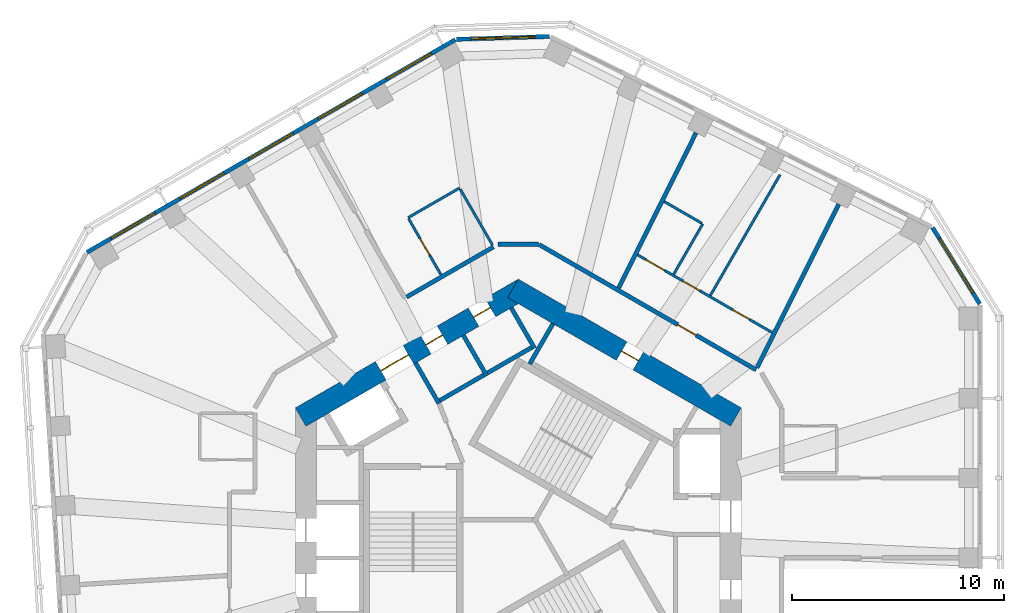
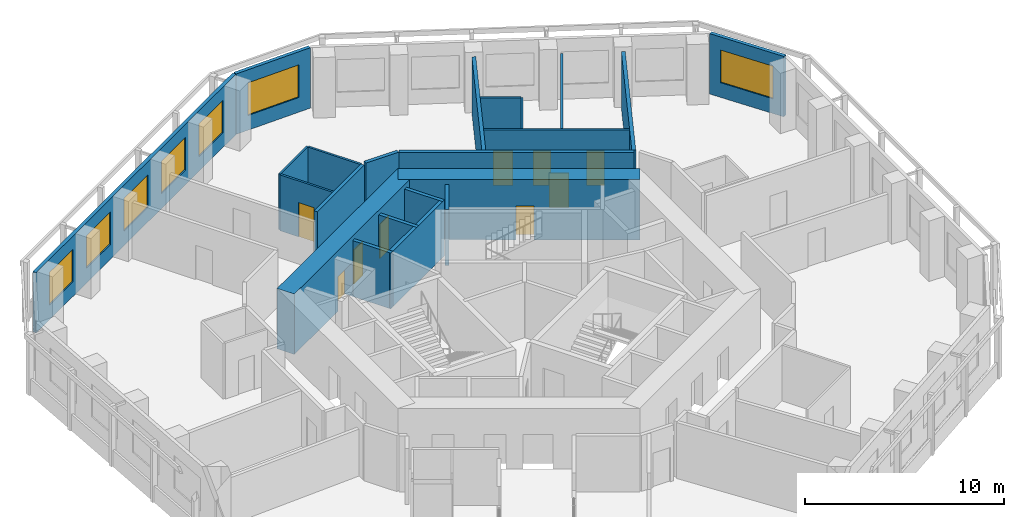
# One storey, part 7 of 11: 22 walls, 9 doors, 7 windows, 16 openings.
"""IFC4 building model written with IfcOpenShell, lengths in metres."""

from ifc_helpers import new_model, si_unit, direction, frame, frame_2d, origin, place, context, subcontext, project, spatial, rectangle, extrude, material, layer, layer_set, type_object, element, fill, save


model = new_model("IFC4")

# Units and contexts
model_context = context("Model", 3, precision=1e-05, world=origin(), true_north=direction((0.0, 1.0)))
body_context = subcontext(model_context, "Body", "Model", "MODEL_VIEW")
ifc_project = project(units=[si_unit("LENGTHUNIT", "METRE"), si_unit("AREAUNIT", "SQUARE_METRE"), si_unit("VOLUMEUNIT", "CUBIC_METRE"), si_unit("PLANEANGLEUNIT", "RADIAN"), si_unit("MASSUNIT", "GRAM", prefix="KILO")], contexts=[model_context])

# Site, building, storey
site_placement = place(None, origin())
site = spatial("IfcSite", under=ifc_project, at=site_placement, CompositionType="ELEMENT")
building_placement = place(site_placement, origin())
building = spatial("IfcBuilding", under=site, at=building_placement, Name="Vanh Sen Convention Tower", CompositionType="ELEMENT")
storey_placement = place(building_placement, frame((0.0, 0.0, 187.300048828125)))
storey = spatial("IfcBuildingStorey", under=building, at=storey_placement, Name="L46", CompositionType="ELEMENT", Elevation=187.300048828125)

# Wall
ifc_material_1 = material(Name="Moisture-resistant gypsum board on steel studs", Category="steel")
ifc_layer_1 = layer(ifc_material_1, 0.1201171875)
ifc_layer_set_1 = layer_set([ifc_layer_1], Name="Moisture-resistant gypsum board on steel studs")
wall_type_1 = type_object("IfcWallType", Name="Bathroom partition 120", PredefinedType="PARTITIONING", material=ifc_layer_set_1)
wall_1_placement = place(storey_placement, frame((-5.19140625, 15.01611328125, 0.0), z_axis=(0.0, 0.0, 1.0), x_axis=(0.866034573852, 0.49998411664, 0.0)))
element("IfcWall", 1, at=wall_1_placement, inside=storey, type_object=wall_type_1, Name="Bathroom partition 120", PredefinedType="PARTITIONING", context=body_context, shape_type="SweptSolid", body=[
    extrude(rectangle(XDim=2.7998046875, YDim=0.1201171875, at=frame_2d((1.39990234375, 0.0))), origin(), (0.0, 0.0, 1.0), 3.419921875),
])

# Wall, opening, door
wall_2_placement = place(storey_placement, frame((-3.641357421875, 12.331298828125, 0.0), z_axis=(0.0, 0.0, 1.0), x_axis=(-0.499991248344, 0.866030456496, 0.0)))
wall_2 = element("IfcWall", 2, at=wall_2_placement, inside=storey, type_object=wall_type_1, Name="Bathroom partition 120", PredefinedType="PARTITIONING", context=body_context, shape_type="SweptSolid", body=[
    extrude(rectangle(XDim=3.0400390625, YDim=0.1201171875, at=frame_2d((1.52001953125, 0.0))), origin(), (0.0, 0.0, 1.0), 3.419921875),
])
opening_1_placement = place(wall_2_placement, frame((1.070068359375, 0.0, 0.0)))
opening_1 = element("IfcOpeningElement", 3, at=opening_1_placement, cuts=wall_2, Name="Opening D44108", PredefinedType="OPENING", context=body_context, shape_type="SweptSolid", body=[
    extrude(rectangle(XDim=0.89990234375, YDim=2.10009765625, at=frame_2d((0.449951171875, 1.050048828125))), frame((0.0, 0.070068359375, 0.0), z_axis=(0.0, -1.0, 0.0), x_axis=(1.0, 0.0, 0.0)), (0.0, 0.0, 1.0), 0.14013671875),
])
ifc_material_2 = material(Name="Laminate door in steel frame", Category="steel")
door_type_1 = type_object("IfcDoorType", Name="Room internal door 900", OperationType="SINGLE_SWING_LEFT", PredefinedType="DOOR", material=ifc_material_2)
door_1_placement = place(opening_1_placement, origin())
door_1 = element("IfcDoor", 4, at=door_1_placement, inside=storey, type_object=door_type_1, Name="Internal room door D44108", OperationType="SINGLE_SWING_LEFT", OverallHeight=2.10009765625, OverallWidth=0.89990234375, PredefinedType="DOOR", context=body_context, shape_type="SweptSolid", body=[
    extrude(rectangle(XDim=0.89990234375, YDim=2.10009765625, at=frame_2d((0.449951171875, 1.050048828125))), frame((0.0, 0.02490234375, 0.0), z_axis=(0.0, -1.0, 0.0), x_axis=(1.0, 0.0, 0.0)), (0.0, 0.0, 1.0), 0.050048828125),
])
fill(opening_1, door_1)

# Walls
wall_3_placement = place(storey_placement, frame((-2.736572265625, 16.364013671875, 0.0), z_axis=(0.0, 0.0, 1.0), x_axis=(0.500026023896, -0.86601037836, 0.0)))
element("IfcWall", 5, at=wall_3_placement, inside=storey, type_object=wall_type_1, Name="Bathroom partition 120", PredefinedType="PARTITIONING", context=body_context, shape_type="SweptSolid", body=[
    extrude(rectangle(XDim=3.039794921875, YDim=0.1201171875, at=frame_2d((1.52001953125, 0.0))), origin(), (0.0, 0.0, 1.0), 3.419921875),
])
wall_4_placement = place(storey_placement, frame((7.318115234375, 12.3564453125, 0.0), z_axis=(0.0, 0.0, 1.0), x_axis=(0.499982138324, 0.866035715982, 0.0)))
element("IfcWall", 6, at=wall_4_placement, inside=storey, type_object=wall_type_1, Name="Bathroom partition 120", PredefinedType="PARTITIONING", context=body_context, shape_type="SweptSolid", body=[
    extrude(rectangle(XDim=2.73974609375, YDim=0.1201171875, at=frame_2d((1.369873046875, 0.0))), origin(), (0.0, 0.0, 1.0), 3.419921875),
])
wall_5_placement = place(storey_placement, frame((8.635986328125, 14.75927734375, 0.0), z_axis=(0.0, 0.0, 1.0), x_axis=(-0.866010195725, 0.500026340207, 0.0)))
element("IfcWall", 7, at=wall_5_placement, inside=storey, type_object=wall_type_1, Name="Bathroom partition 120", PredefinedType="PARTITIONING", context=body_context, shape_type="SweptSolid", body=[
    extrude(rectangle(XDim=2.0400390625, YDim=0.1201171875, at=frame_2d((1.02001953125, 0.0))), origin(), (0.0, 0.0, 1.0), 3.419921875),
])

# Wall, openings, doors
wall_6_placement = place(storey_placement, frame((11.958984375, 9.607666015625, 0.0), z_axis=(0.0, 0.0, 1.0), x_axis=(-0.866018452427, 0.500012039911, 0.0)))
wall_6 = element("IfcWall", 8, at=wall_6_placement, inside=storey, type_object=wall_type_1, Name="Bathroom partition 120", PredefinedType="PARTITIONING", context=body_context, shape_type="SweptSolid", body=[
    extrude(rectangle(XDim=7.322021484375, YDim=0.1201171875, at=frame_2d((3.6611328125, 0.0))), origin(), (0.0, 0.0, 1.0), 3.419921875),
])
opening_2_placement = place(wall_6_placement, frame((5.85791015625, 0.0, 0.0)))
opening_2 = element("IfcOpeningElement", 9, at=opening_2_placement, cuts=wall_6, Name="Opening D44104", PredefinedType="OPENING", context=body_context, shape_type="SweptSolid", body=[
    extrude(rectangle(XDim=1.0, YDim=2.10009765625, at=frame_2d((0.5, 1.050048828125))), frame((0.0, 0.070068359375, 0.0), z_axis=(0.0, -1.0, 0.0), x_axis=(1.0, 0.0, 0.0)), (0.0, 0.0, 1.0), 0.14013671875),
])
opening_3_placement = place(wall_6_placement, frame((1.25, 0.0, 0.0)))
opening_3 = element("IfcOpeningElement", 10, at=opening_3_placement, cuts=wall_6, Name="Opening D44105", PredefinedType="OPENING", context=body_context, shape_type="SweptSolid", body=[
    extrude(rectangle(XDim=0.89990234375, YDim=2.10009765625, at=frame_2d((0.449951171875, 1.050048828125))), frame((0.0, 0.070068359375, 0.0), z_axis=(0.0, -1.0, 0.0), x_axis=(1.0, 0.0, 0.0)), (0.0, 0.0, 1.0), 0.14013671875),
])
opening_4_placement = place(wall_6_placement, frame((3.94677734375, 0.0, 0.0)))
opening_4 = element("IfcOpeningElement", 11, at=opening_4_placement, cuts=wall_6, Name="Opening D44106", PredefinedType="OPENING", context=body_context, shape_type="SweptSolid", body=[
    extrude(rectangle(XDim=0.89990234375, YDim=2.10009765625, at=frame_2d((0.449951171875, 1.050048828125))), frame((0.0, 0.070068359375, 0.0), z_axis=(0.0, -1.0, 0.0), x_axis=(1.0, 0.0, 0.0)), (0.0, 0.0, 1.0), 0.14013671875),
])
door_type_2 = type_object("IfcDoorType", Name="Accessible WC door 1000", OperationType="SINGLE_SWING_LEFT", PredefinedType="DOOR", material=ifc_material_2)
door_2_placement = place(opening_2_placement, origin())
door_2 = element("IfcDoor", 12, at=door_2_placement, inside=storey, type_object=door_type_2, Name="Accessible WC door D44104", OperationType="SINGLE_SWING_LEFT", OverallHeight=2.10009765625, OverallWidth=1.0, PredefinedType="DOOR", context=body_context, shape_type="SweptSolid", body=[
    extrude(rectangle(XDim=1.0, YDim=2.10009765625, at=frame_2d((0.5, 1.050048828125))), frame((0.0, 0.02490234375, 0.0), z_axis=(0.0, -1.0, 0.0), x_axis=(1.0, 0.0, 0.0)), (0.0, 0.0, 1.0), 0.050048828125),
])
fill(opening_2, door_2)
door_3_placement = place(opening_3_placement, origin())
door_3 = element("IfcDoor", 13, at=door_3_placement, inside=storey, type_object=door_type_1, Name="Internal room door D44105", OperationType="SINGLE_SWING_LEFT", OverallHeight=2.10009765625, OverallWidth=0.89990234375, PredefinedType="DOOR", context=body_context, shape_type="SweptSolid", body=[
    extrude(rectangle(XDim=0.89990234375, YDim=2.10009765625, at=frame_2d((0.449951171875, 1.050048828125))), frame((0.0, 0.02490234375, 0.0), z_axis=(0.0, -1.0, 0.0), x_axis=(1.0, 0.0, 0.0)), (0.0, 0.0, 1.0), 0.050048828125),
])
fill(opening_3, door_3)
door_4_placement = place(opening_4_placement, origin())
door_4 = element("IfcDoor", 14, at=door_4_placement, inside=storey, type_object=door_type_1, Name="Internal room door D44106", OperationType="SINGLE_SWING_LEFT", OverallHeight=2.10009765625, OverallWidth=0.89990234375, PredefinedType="DOOR", context=body_context, shape_type="SweptSolid", body=[
    extrude(rectangle(XDim=0.89990234375, YDim=2.10009765625, at=frame_2d((0.449951171875, 1.050048828125))), frame((0.0, 0.02490234375, 0.0), z_axis=(0.0, -1.0, 0.0), x_axis=(1.0, 0.0, 0.0)), (0.0, 0.0, 1.0), 0.050048828125),
])
fill(opening_4, door_4)

# Wall
wall_7_placement = place(storey_placement, frame((12.32470703125, 17.041015625, 0.0), z_axis=(0.0, 0.0, 1.0), x_axis=(-0.499985538654, -0.866033752885, 0.0)))
element("IfcWall", 15, at=wall_7_placement, inside=storey, type_object=wall_type_1, Name="Bathroom partition 120", PredefinedType="PARTITIONING", context=body_context, shape_type="SweptSolid", body=[
    extrude(rectangle(XDim=6.560302734375, YDim=0.1201171875, at=frame_2d((3.2802734375, 0.0))), origin(), (0.0, 0.0, 1.0), 3.419921875),
])

# Wall, opening, door
ifc_material_3 = material(Name="Concrete C80/95", Category="concrete")
ifc_layer_2 = layer(ifc_material_3, 1.0)
ifc_layer_set_2 = layer_set([ifc_layer_2], Name="Concrete C80/95")
wall_type_2 = type_object("IfcWallType", Name="Core outer wall 1000 C80/95", PredefinedType="SHEAR", material=ifc_layer_set_2)
wall_8_placement = place(storey_placement, frame((10.25, 5.629150390625, 0.0), z_axis=(0.0, 0.0, 1.0), x_axis=(-0.866022616891, 0.50000482701, 0.0)))
wall_8 = element("IfcWall", 16, at=wall_8_placement, inside=storey, type_object=wall_type_2, Name="Core wall face NE L46", PredefinedType="SHEAR", context=body_context, shape_type="SweptSolid", body=[
    extrude(rectangle(XDim=12.12451171875, YDim=1.0, at=frame_2d((6.062255859375, 0.0))), origin(), (0.0, 0.0, 1.0), 3.699951171875),
])
opening_5_placement = place(wall_8_placement, frame((5.312255859375, 0.0, 0.0)))
opening_5 = element("IfcOpeningElement", 17, at=opening_5_placement, cuts=wall_8, Name="Opening D44011", PredefinedType="OPENING", context=body_context, shape_type="SweptSolid", body=[
    extrude(rectangle(XDim=0.89990234375, YDim=2.10009765625, at=frame_2d((0.449951171875, 1.050048828125))), frame((0.0, 0.510009765625, 0.0), z_axis=(0.0, -1.0, 0.0), x_axis=(1.0, 0.0, 0.0)), (0.0, 0.0, 1.0), 1.02001953125),
])
ifc_material_4 = material(Name="Steel S355", Category="steel")
door_type_3 = type_object("IfcDoorType", Name="Plant door 900", OperationType="SINGLE_SWING_LEFT", PredefinedType="DOOR", material=ifc_material_4)
door_5_placement = place(opening_5_placement, origin())
door_5 = element("IfcDoor", 18, at=door_5_placement, inside=storey, type_object=door_type_3, Name="Plant door D44011", OperationType="SINGLE_SWING_LEFT", OverallHeight=2.10009765625, OverallWidth=0.89990234375, PredefinedType="DOOR", context=body_context, shape_type="SweptSolid", body=[
    extrude(rectangle(XDim=0.89990234375, YDim=2.10009765625, at=frame_2d((0.449951171875, 1.050048828125))), frame((0.0, 0.02490234375, 0.0), z_axis=(0.0, -1.0, 0.0), x_axis=(1.0, 0.0, 0.0)), (0.0, 0.0, 1.0), 0.050048828125),
])
fill(opening_5, door_5)

# Wall, openings, doors
wall_9_placement = place(storey_placement, frame((0.25, 11.69140625, 0.0), z_axis=(0.0, 0.0, 1.0), x_axis=(-0.866022616891, -0.50000482701, 0.0)))
wall_9 = element("IfcWall", 19, at=wall_9_placement, inside=storey, type_object=wall_type_2, Name="Core wall face NW L46", PredefinedType="SHEAR", context=body_context, shape_type="SweptSolid", body=[
    extrude(rectangle(XDim=12.12451171875, YDim=1.0, at=frame_2d((6.062255859375, 0.0))), origin(), (0.0, 0.0, 1.0), 3.699951171875),
])
opening_6_placement = place(wall_9_placement, frame((6.26220703125, 0.0, 0.0)))
opening_6 = element("IfcOpeningElement", 20, at=opening_6_placement, cuts=wall_9, Name="Opening D44002", PredefinedType="OPENING", context=body_context, shape_type="SweptSolid", body=[
    extrude(rectangle(XDim=1.5, YDim=2.10009765625, at=frame_2d((0.75, 1.050048828125))), frame((0.0, 0.510009765625, 0.0), z_axis=(0.0, -1.0, 0.0), x_axis=(1.0, 0.0, 0.0)), (0.0, 0.0, 1.0), 1.02001953125),
])
opening_7_placement = place(wall_9_placement, frame((1.812255859375, 0.0, 0.0)))
opening_7 = element("IfcOpeningElement", 21, at=opening_7_placement, cuts=wall_9, Name="Opening D44012", PredefinedType="OPENING", context=body_context, shape_type="SweptSolid", body=[
    extrude(rectangle(XDim=0.89990234375, YDim=2.10009765625, at=frame_2d((0.449951171875, 1.050048828125))), frame((0.0, 0.510009765625, 0.0), z_axis=(0.0, -1.0, 0.0), x_axis=(1.0, 0.0, 0.0)), (0.0, 0.0, 1.0), 1.02001953125),
])
opening_8_placement = place(wall_9_placement, frame((4.412109375, 0.0, 0.0)))
opening_8 = element("IfcOpeningElement", 22, at=opening_8_placement, cuts=wall_9, Name="Opening D44013", PredefinedType="OPENING", context=body_context, shape_type="SweptSolid", body=[
    extrude(rectangle(XDim=0.89990234375, YDim=2.10009765625, at=frame_2d((0.449951171875, 1.050048828125))), frame((0.0, 0.510009765625, 0.0), z_axis=(0.0, -1.0, 0.0), x_axis=(1.0, 0.0, 0.0)), (0.0, 0.0, 1.0), 1.02001953125),
])
door_6_placement = place(opening_7_placement, origin())
door_6 = element("IfcDoor", 23, at=door_6_placement, inside=storey, type_object=door_type_3, Name="Plant door D44012", OperationType="SINGLE_SWING_LEFT", OverallHeight=2.10009765625, OverallWidth=0.89990234375, PredefinedType="DOOR", context=body_context, shape_type="SweptSolid", body=[
    extrude(rectangle(XDim=0.89990234375, YDim=2.10009765625, at=frame_2d((0.449951171875, 1.050048828125))), frame((0.0, 0.02490234375, 0.0), z_axis=(0.0, -1.0, 0.0), x_axis=(1.0, 0.0, 0.0)), (0.0, 0.0, 1.0), 0.050048828125),
])
fill(opening_7, door_6)
door_7_placement = place(opening_8_placement, origin())
door_7 = element("IfcDoor", 24, at=door_7_placement, inside=storey, type_object=door_type_3, Name="Plant door D44013", OperationType="SINGLE_SWING_LEFT", OverallHeight=2.10009765625, OverallWidth=0.89990234375, PredefinedType="DOOR", context=body_context, shape_type="SweptSolid", body=[
    extrude(rectangle(XDim=0.89990234375, YDim=2.10009765625, at=frame_2d((0.449951171875, 1.050048828125))), frame((0.0, 0.02490234375, 0.0), z_axis=(0.0, -1.0, 0.0), x_axis=(1.0, 0.0, 0.0)), (0.0, 0.0, 1.0), 0.050048828125),
])
fill(opening_8, door_7)
door_type_4 = type_object("IfcDoorType", Name="Stair lobby door 1500", OperationType="DOUBLE_DOOR_SINGLE_SWING", PredefinedType="DOOR", material=ifc_material_4)
door_8_placement = place(opening_6_placement, origin())
door_8 = element("IfcDoor", 25, at=door_8_placement, inside=storey, type_object=door_type_4, Name="Stair lobby door D44002", OperationType="DOUBLE_DOOR_SINGLE_SWING", OverallHeight=2.10009765625, OverallWidth=1.5, PredefinedType="DOOR", context=body_context, shape_type="SweptSolid", body=[
    extrude(rectangle(XDim=1.5, YDim=2.10009765625, at=frame_2d((0.75, 1.050048828125))), frame((0.0, 0.02490234375, 0.0), z_axis=(0.0, -1.0, 0.0), x_axis=(1.0, 0.0, 0.0)), (0.0, 0.0, 1.0), 0.050048828125),
])
fill(opening_6, door_8)

# Walls
ifc_material_5 = material(Name="Gypsum board on steel studs with mineral wool", Category="steel")
ifc_layer_3 = layer(ifc_material_5, 0.199951171875)
ifc_layer_set_3 = layer_set([ifc_layer_3], Name="Gypsum board on steel studs with mineral wool")
wall_type_3 = type_object("IfcWallType", Name="Corridor partition wall 200", PredefinedType="PARTITIONING", material=ifc_layer_set_3)
wall_10_placement = place(storey_placement, frame((-1.16650390625, 13.644775390625, 0.0), z_axis=(0.0, 0.0, 1.0), x_axis=(-0.866034830959, -0.499983671299, 0.0)))
element("IfcWall", 26, at=wall_10_placement, inside=storey, type_object=wall_type_3, Name="Corridor partition wall 200", PredefinedType="PARTITIONING", context=body_context, shape_type="SweptSolid", body=[
    extrude(rectangle(XDim=4.719482421875, YDim=0.199951171875, at=frame_2d((2.35986328125, 0.0))), origin(), (0.0, 0.0, 1.0), 3.419921875),
])
wall_11_placement = place(storey_placement, frame((0.949951171875, 13.769775390625, 0.0), z_axis=(0.0, 0.0, 1.0), x_axis=(-1.0, 0.0, 0.0)))
element("IfcWall", 27, at=wall_11_placement, inside=storey, type_object=wall_type_3, Name="Corridor partition wall 200", PredefinedType="PARTITIONING", context=body_context, shape_type="SweptSolid", body=[
    extrude(rectangle(XDim=1.89990234375, YDim=0.199951171875, at=frame_2d((0.949951171875, 0.0))), origin(), (0.0, 0.0, 1.0), 3.419921875),
])

# Wall, opening, door
wall_12_placement = place(storey_placement, frame((11.1962890625, 7.85400390625, 0.0), z_axis=(0.0, 0.0, 1.0), x_axis=(-0.866023877043, 0.500002644385, 0.0)))
wall_12 = element("IfcWall", 28, at=wall_12_placement, inside=storey, type_object=wall_type_3, Name="Corridor partition wall 200", PredefinedType="PARTITIONING", context=body_context, shape_type="SweptSolid", body=[
    extrude(rectangle(XDim=11.79150390625, YDim=0.199951171875, at=frame_2d((5.895751953125, 0.0))), origin(), (0.0, 0.0, 1.0), 3.419921875),
])
opening_9_placement = place(wall_12_placement, frame((3.26123046875, 0.0, 0.0)))
opening_9 = element("IfcOpeningElement", 29, at=opening_9_placement, cuts=wall_12, Name="Opening D44103", PredefinedType="OPENING", context=body_context, shape_type="SweptSolid", body=[
    extrude(rectangle(XDim=1.0, YDim=2.10009765625, at=frame_2d((0.5, 1.050048828125))), frame((0.0, 0.10986328125, 0.0), z_axis=(0.0, -1.0, 0.0), x_axis=(1.0, 0.0, 0.0)), (0.0, 0.0, 1.0), 0.219970703125),
])
ifc_material_6 = material(Name="Timber fire door in steel frame", Category="steel")
door_type_5 = type_object("IfcDoorType", Name="Floor room door 1000", OperationType="SINGLE_SWING_LEFT", PredefinedType="DOOR", material=ifc_material_6)
door_9_placement = place(opening_9_placement, origin())
door_9 = element("IfcDoor", 30, at=door_9_placement, inside=storey, type_object=door_type_5, Name="Meeting and amenity room door D44103", OperationType="SINGLE_SWING_LEFT", OverallHeight=2.10009765625, OverallWidth=1.0, PredefinedType="DOOR", context=body_context, shape_type="SweptSolid", body=[
    extrude(rectangle(XDim=1.0, YDim=2.10009765625, at=frame_2d((0.5, 1.050048828125))), frame((0.0, 0.02490234375, 0.0), z_axis=(0.0, -1.0, 0.0), x_axis=(1.0, 0.0, 0.0)), (0.0, 0.0, 1.0), 0.050048828125),
])
fill(opening_9, door_9)

# Wall, opening, window
ifc_material_7 = material(Name="Insulated lightweight infill wall")
ifc_layer_4 = layer(ifc_material_7, 0.199951171875)
ifc_layer_set_4 = layer_set([ifc_layer_4], Name="Insulated lightweight infill wall")
wall_type_4 = type_object("IfcWallType", Name="External wall 200", PredefinedType="STANDARD", material=ifc_layer_set_4)
wall_13_placement = place(storey_placement, frame((21.735107421875, 10.9580078125, 0.0), z_axis=(0.0, 0.0, 1.0), x_axis=(-0.526213807775, 0.850352296702, 0.0)))
wall_13 = element("IfcWall", 31, at=wall_13_placement, inside=storey, type_object=wall_type_4, Name="External wall CH1 L46", PredefinedType="STANDARD", context=body_context, shape_type="SweptSolid", body=[
    extrude(rectangle(XDim=4.23828125, YDim=0.199951171875, at=frame_2d((2.119140625, 0.0))), origin(), (0.0, 0.0, 1.0), 3.699951171875),
])
opening_10_placement = place(wall_13_placement, frame((0.619140625, 0.0, 0.89990234375)))
opening_10 = element("IfcOpeningElement", 32, at=opening_10_placement, cuts=wall_13, Name="Opening WO2-CH11", PredefinedType="OPENING", context=body_context, shape_type="SweptSolid", body=[
    extrude(rectangle(XDim=3.0, YDim=2.0, at=frame_2d((1.5, 1.0))), frame((0.0, 0.10986328125, 0.0), z_axis=(0.0, -1.0, 0.0), x_axis=(1.0, 0.0, 0.0)), (0.0, 0.0, 1.0), 0.219970703125),
])
ifc_material_8 = material(Name="Aluminium frame with clear low-emissivity glass", Category="aluminium")
window_type_1 = type_object("IfcWindowType", Name="Office window 3000 x 2000", PartitioningType="SINGLE_PANEL", PredefinedType="WINDOW", material=ifc_material_8)
window_1_placement = place(opening_10_placement, origin())
window_1 = element("IfcWindow", 33, at=window_1_placement, inside=storey, type_object=window_type_1, Name="Window WO2-CH11", OverallHeight=2.0, OverallWidth=3.0, PartitioningType="SINGLE_PANEL", PredefinedType="WINDOW", context=body_context, shape_type="SweptSolid", body=[
    extrude(rectangle(XDim=3.0, YDim=2.0, at=frame_2d((1.5, 1.0))), frame((0.0, 0.030029296875, 0.0), z_axis=(0.0, -1.0, 0.0), x_axis=(1.0, 0.0, 0.0)), (0.0, 0.0, 1.0), 0.06005859375),
])
fill(opening_10, window_1)

wall_14_placement = place(storey_placement, frame((1.478759765625, 23.552734375, 0.0), z_axis=(0.0, 0.0, 1.0), x_axis=(-0.999534786117, -0.03049936625, 0.0)))
wall_14 = element("IfcWall", 34, at=wall_14_placement, inside=storey, type_object=wall_type_4, Name="External wall CH2 L46", PredefinedType="STANDARD", context=body_context, shape_type="SweptSolid", body=[
    extrude(rectangle(XDim=4.39453125, YDim=0.199951171875, at=frame_2d((2.197265625, 0.0))), origin(), (0.0, 0.0, 1.0), 3.699951171875),
])
opening_11_placement = place(wall_14_placement, frame((0.697509765625, 0.0, 0.89990234375)))
opening_11 = element("IfcOpeningElement", 35, at=opening_11_placement, cuts=wall_14, Name="Opening WO2-CH21", PredefinedType="OPENING", context=body_context, shape_type="SweptSolid", body=[
    extrude(rectangle(XDim=3.0, YDim=2.0, at=frame_2d((1.5, 1.0))), frame((0.0, 0.10986328125, 0.0), z_axis=(0.0, -1.0, 0.0), x_axis=(1.0, 0.0, 0.0)), (0.0, 0.0, 1.0), 0.219970703125),
])
window_2_placement = place(opening_11_placement, origin())
window_2 = element("IfcWindow", 36, at=window_2_placement, inside=storey, type_object=window_type_1, Name="Window WO2-CH21", OverallHeight=2.0, OverallWidth=3.0, PartitioningType="SINGLE_PANEL", PredefinedType="WINDOW", context=body_context, shape_type="SweptSolid", body=[
    extrude(rectangle(XDim=3.0, YDim=2.0, at=frame_2d((1.5, 1.0))), frame((0.0, 0.030029296875, 0.0), z_axis=(0.0, -1.0, 0.0), x_axis=(1.0, 0.0, 0.0)), (0.0, 0.0, 1.0), 0.06005859375),
])
fill(opening_11, window_2)

# Wall, openings, windows
wall_15_placement = place(storey_placement, frame((-2.9609375, 23.4052734375, 0.0), z_axis=(0.0, 0.0, 1.0), x_axis=(-0.866023315909, -0.500003616288, 0.0)))
wall_15 = element("IfcWall", 37, at=wall_15_placement, inside=storey, type_object=wall_type_4, Name="External wall NW L46", PredefinedType="STANDARD", context=body_context, shape_type="SweptSolid", body=[
    extrude(rectangle(XDim=20.043701171875, YDim=0.199951171875, at=frame_2d((10.02197265625, 0.0))), origin(), (0.0, 0.0, 1.0), 3.699951171875),
])
opening_12_placement = place(wall_15_placement, frame((1.314453125, 0.0, 0.89990234375)))
opening_12 = element("IfcOpeningElement", 38, at=opening_12_placement, cuts=wall_15, Name="Opening WO1-NW1", PredefinedType="OPENING", context=body_context, shape_type="SweptSolid", body=[
    extrude(rectangle(XDim=2.39990234375, YDim=2.0, at=frame_2d((1.199951171875, 1.0))), frame((0.0, 0.10986328125, 0.0), z_axis=(0.0, -1.0, 0.0), x_axis=(1.0, 0.0, 0.0)), (0.0, 0.0, 1.0), 0.219970703125),
])
opening_13_placement = place(wall_15_placement, frame((5.068603515625, 0.0, 0.89990234375)))
opening_13 = element("IfcOpeningElement", 39, at=opening_13_placement, cuts=wall_15, Name="Opening WO1-NW2", PredefinedType="OPENING", context=body_context, shape_type="SweptSolid", body=[
    extrude(rectangle(XDim=2.39990234375, YDim=2.0, at=frame_2d((1.199951171875, 1.0))), frame((0.0, 0.10986328125, 0.0), z_axis=(0.0, -1.0, 0.0), x_axis=(1.0, 0.0, 0.0)), (0.0, 0.0, 1.0), 0.219970703125),
])
opening_14_placement = place(wall_15_placement, frame((8.82275390625, 0.0, 0.89990234375)))
opening_14 = element("IfcOpeningElement", 40, at=opening_14_placement, cuts=wall_15, Name="Opening WO1-NW3", PredefinedType="OPENING", context=body_context, shape_type="SweptSolid", body=[
    extrude(rectangle(XDim=2.39990234375, YDim=2.0, at=frame_2d((1.199951171875, 1.0))), frame((0.0, 0.10986328125, 0.0), z_axis=(0.0, -1.0, 0.0), x_axis=(1.0, 0.0, 0.0)), (0.0, 0.0, 1.0), 0.219970703125),
])
opening_15_placement = place(wall_15_placement, frame((12.576904296875, 0.0, 0.89990234375)))
opening_15 = element("IfcOpeningElement", 41, at=opening_15_placement, cuts=wall_15, Name="Opening WO1-NW4", PredefinedType="OPENING", context=body_context, shape_type="SweptSolid", body=[
    extrude(rectangle(XDim=2.39990234375, YDim=2.0, at=frame_2d((1.199951171875, 1.0))), frame((0.0, 0.10986328125, 0.0), z_axis=(0.0, -1.0, 0.0), x_axis=(1.0, 0.0, 0.0)), (0.0, 0.0, 1.0), 0.219970703125),
])
opening_16_placement = place(wall_15_placement, frame((16.330810546875, 0.0, 0.89990234375)))
opening_16 = element("IfcOpeningElement", 42, at=opening_16_placement, cuts=wall_15, Name="Opening WO1-NW5", PredefinedType="OPENING", context=body_context, shape_type="SweptSolid", body=[
    extrude(rectangle(XDim=2.39990234375, YDim=2.0, at=frame_2d((1.199951171875, 1.0))), frame((0.0, 0.10986328125, 0.0), z_axis=(0.0, -1.0, 0.0), x_axis=(1.0, 0.0, 0.0)), (0.0, 0.0, 1.0), 0.219970703125),
])
window_type_2 = type_object("IfcWindowType", Name="Office window 2400 x 2000", PartitioningType="SINGLE_PANEL", PredefinedType="WINDOW", material=ifc_material_8)
window_3_placement = place(opening_12_placement, origin())
window_3 = element("IfcWindow", 43, at=window_3_placement, inside=storey, type_object=window_type_2, Name="Window WO1-NW1", OverallHeight=2.0, OverallWidth=2.39990234375, PartitioningType="SINGLE_PANEL", PredefinedType="WINDOW", context=body_context, shape_type="SweptSolid", body=[
    extrude(rectangle(XDim=2.39990234375, YDim=2.0, at=frame_2d((1.199951171875, 1.0))), frame((0.0, 0.030029296875, 0.0), z_axis=(0.0, -1.0, 0.0), x_axis=(1.0, 0.0, 0.0)), (0.0, 0.0, 1.0), 0.06005859375),
])
fill(opening_12, window_3)
window_4_placement = place(opening_13_placement, origin())
window_4 = element("IfcWindow", 44, at=window_4_placement, inside=storey, type_object=window_type_2, Name="Window WO1-NW2", OverallHeight=2.0, OverallWidth=2.39990234375, PartitioningType="SINGLE_PANEL", PredefinedType="WINDOW", context=body_context, shape_type="SweptSolid", body=[
    extrude(rectangle(XDim=2.39990234375, YDim=2.0, at=frame_2d((1.199951171875, 1.0))), frame((0.0, 0.030029296875, 0.0), z_axis=(0.0, -1.0, 0.0), x_axis=(1.0, 0.0, 0.0)), (0.0, 0.0, 1.0), 0.06005859375),
])
fill(opening_13, window_4)
window_5_placement = place(opening_14_placement, origin())
window_5 = element("IfcWindow", 45, at=window_5_placement, inside=storey, type_object=window_type_2, Name="Window WO1-NW3", OverallHeight=2.0, OverallWidth=2.39990234375, PartitioningType="SINGLE_PANEL", PredefinedType="WINDOW", context=body_context, shape_type="SweptSolid", body=[
    extrude(rectangle(XDim=2.39990234375, YDim=2.0, at=frame_2d((1.199951171875, 1.0))), frame((0.0, 0.030029296875, 0.0), z_axis=(0.0, -1.0, 0.0), x_axis=(1.0, 0.0, 0.0)), (0.0, 0.0, 1.0), 0.06005859375),
])
fill(opening_14, window_5)
window_6_placement = place(opening_15_placement, origin())
window_6 = element("IfcWindow", 46, at=window_6_placement, inside=storey, type_object=window_type_2, Name="Window WO1-NW4", OverallHeight=2.0, OverallWidth=2.39990234375, PartitioningType="SINGLE_PANEL", PredefinedType="WINDOW", context=body_context, shape_type="SweptSolid", body=[
    extrude(rectangle(XDim=2.39990234375, YDim=2.0, at=frame_2d((1.199951171875, 1.0))), frame((0.0, 0.030029296875, 0.0), z_axis=(0.0, -1.0, 0.0), x_axis=(1.0, 0.0, 0.0)), (0.0, 0.0, 1.0), 0.06005859375),
])
fill(opening_15, window_6)
window_7_placement = place(opening_16_placement, origin())
window_7 = element("IfcWindow", 47, at=window_7_placement, inside=storey, type_object=window_type_2, Name="Window WO1-NW5", OverallHeight=2.0, OverallWidth=2.39990234375, PartitioningType="SINGLE_PANEL", PredefinedType="WINDOW", context=body_context, shape_type="SweptSolid", body=[
    extrude(rectangle(XDim=2.39990234375, YDim=2.0, at=frame_2d((1.199951171875, 1.0))), frame((0.0, 0.030029296875, 0.0), z_axis=(0.0, -1.0, 0.0), x_axis=(1.0, 0.0, 0.0)), (0.0, 0.0, 1.0), 0.06005859375),
])
fill(opening_16, window_7)

# Walls
ifc_material_9 = material(Name="Concrete C40/50", Category="concrete")
ifc_layer_5 = layer(ifc_material_9, 0.199951171875)
ifc_layer_set_5 = layer_set([ifc_layer_5], Name="Concrete C40/50")
wall_type_5 = type_object("IfcWallType", Name="Lift shaft wall 200", PredefinedType="PARTITIONING", material=ifc_layer_set_5)
wall_16_placement = place(storey_placement, frame((0.5322265625, 8.1220703125, 0.0), z_axis=(0.0, 0.0, 1.0), x_axis=(0.500077893725, 0.86598042715, 0.0)))
element("IfcWall", 48, at=wall_16_placement, inside=storey, type_object=wall_type_5, Name="Lift shaft wall L46", PredefinedType="PARTITIONING", context=body_context, shape_type="SweptSolid", body=[
    extrude(rectangle(XDim=2.199951171875, YDim=0.199951171875, at=frame_2d((1.10009765625, 0.0))), origin(), (0.0, 0.0, 1.0), 3.419921875),
])
wall_17_placement = place(storey_placement, frame((0.80322265625, 9.008544921875, 0.0), z_axis=(0.0, 0.0, 1.0), x_axis=(-0.866028230842, -0.499995103361, 0.0)))
element("IfcWall", 49, at=wall_17_placement, inside=storey, type_object=wall_type_5, Name="Lift shaft wall L46", PredefinedType="PARTITIONING", context=body_context, shape_type="SweptSolid", body=[
    extrude(rectangle(XDim=5.39990234375, YDim=0.199951171875, at=frame_2d((2.699951171875, 0.0))), origin(), (0.0, 0.0, 1.0), 3.419921875),
])
wall_18_placement = place(storey_placement, frame((0.7666015625, 8.8720703125, 0.0), z_axis=(0.0, 0.0, 1.0), x_axis=(-0.499994660107, 0.866028486751, 0.0)))
element("IfcWall", 50, at=wall_18_placement, inside=storey, type_object=wall_type_5, Name="Lift shaft wall L46", PredefinedType="PARTITIONING", context=body_context, shape_type="SweptSolid", body=[
    extrude(rectangle(XDim=2.19970703125, YDim=0.199951171875, at=frame_2d((1.099853515625, 0.0))), origin(), (0.0, 0.0, 1.0), 3.419921875),
])
for number, where, z_axis, x_axis, name in (
    (51, (-1.48486328125, 7.572021484375, 0.0), (0.0, 0.0, 1.0), (-0.50002983664, 0.866008176907, 0.0), "Lift shaft wall L46"),
    (52, (-3.736572265625, 6.27197265625, 0.0), (0.0, 0.0, 1.0), (-0.50002983664, 0.866008176907, 0.0), "Lift shaft wall L46"),
):
    element("IfcWall", number, at=place(storey_placement, frame(where, z_axis=z_axis, x_axis=x_axis)), inside=storey, type_object=wall_type_5, Name=name, PredefinedType="PARTITIONING", context=body_context, shape_type="SweptSolid", body=[
        extrude(rectangle(XDim=2.199951171875, YDim=0.199951171875, at=frame_2d((1.10009765625, 0.0))), origin(), (0.0, 0.0, 1.0), 3.419921875),
    ])
ifc_layer_6 = layer(ifc_material_5, 0.199951171875)
ifc_layer_set_6 = layer_set([ifc_layer_6], Name="Gypsum board on steel studs with mineral wool")
wall_type_6 = type_object("IfcWallType", Name="Tenant suite wall 200", PredefinedType="PARTITIONING", material=ifc_layer_set_6)
wall_19_placement = place(storey_placement, frame((8.3701171875, 19.012939453125, 0.0), z_axis=(0.0, 0.0, 1.0), x_axis=(-0.446183598632, -0.894941448538, 0.0)))
element("IfcWall", 53, at=wall_19_placement, inside=storey, type_object=wall_type_6, Name="Tenant suite wall 200", PredefinedType="PARTITIONING", context=body_context, shape_type="SweptSolid", body=[
    extrude(rectangle(XDim=8.15625, YDim=0.199951171875, at=frame_2d((4.078125, 0.0))), origin(), (0.0, 0.0, 1.0), 3.419921875),
])
wall_20_placement = place(storey_placement, frame((15.089599609375, 15.66259765625, 0.0), z_axis=(0.0, 0.0, 1.0), x_axis=(-0.446204491029, -0.894931032083, 0.0)))
element("IfcWall", 54, at=wall_20_placement, inside=storey, type_object=wall_type_6, Name="Tenant suite wall 200", PredefinedType="PARTITIONING", context=body_context, shape_type="SweptSolid", body=[
    extrude(rectangle(XDim=8.615478515625, YDim=0.199951171875, at=frame_2d((4.3076171875, 0.0))), origin(), (0.0, 0.0, 1.0), 3.419921875),
])

save(model, "model.ifc")
